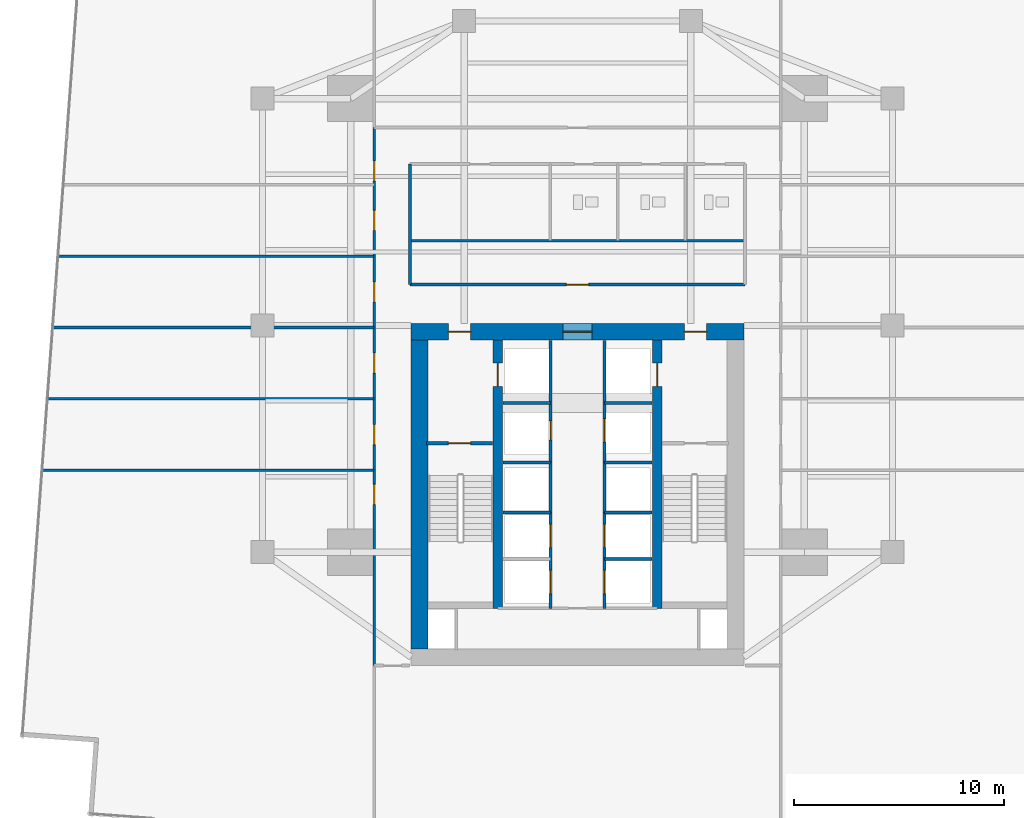
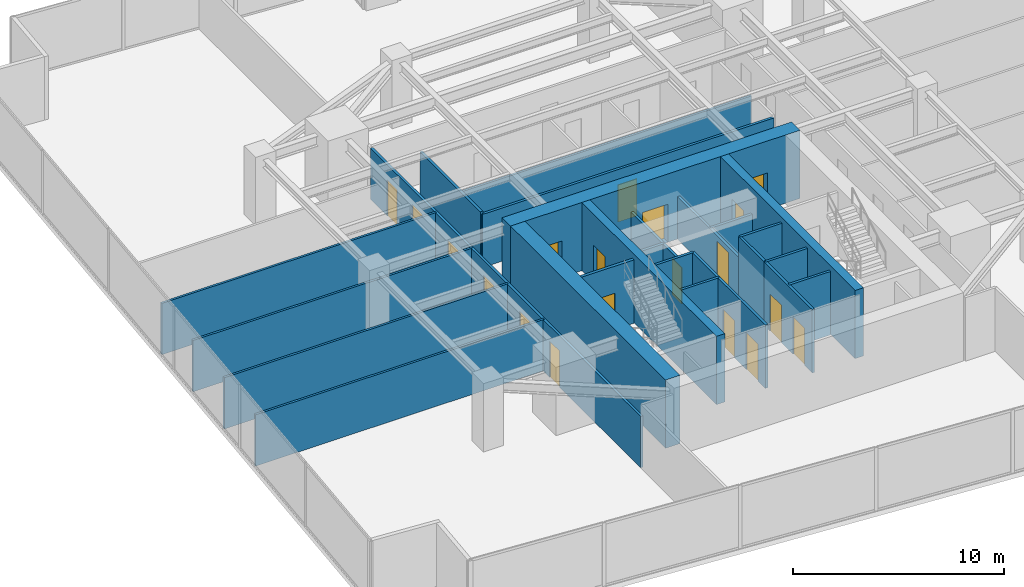
# One storey, part 26 of 30: 26 walls, 19 doors, 19 openings.
"""IFC4 building model written with IfcOpenShell, lengths in metres."""

from ifc_helpers import new_model, si_unit, direction, frame, frame_2d, origin, place, context, subcontext, project, spatial, rectangle, extrude, material, layer, layer_set, type_object, element, fill, save


model = new_model("IFC4")

# Units and contexts
model_context = context("Model", 3, precision=1e-05, world=origin(), true_north=direction((0.0, 1.0)))
body_context = subcontext(model_context, "Body", "Model", "MODEL_VIEW")
ifc_project = project(units=[si_unit("LENGTHUNIT", "METRE"), si_unit("AREAUNIT", "SQUARE_METRE"), si_unit("VOLUMEUNIT", "CUBIC_METRE"), si_unit("PLANEANGLEUNIT", "RADIAN"), si_unit("MASSUNIT", "GRAM", prefix="KILO")], contexts=[model_context])

# Site, building, storey
site_placement = place(None, origin())
site = spatial("IfcSite", under=ifc_project, at=site_placement, CompositionType="ELEMENT")
building_placement = place(site_placement, origin())
building = spatial("IfcBuilding", under=site, at=building_placement, Name="Krantzveldt Concourse Tower", CompositionType="ELEMENT")
storey_placement = place(building_placement, frame((0.0, 0.0, 52.64990234375)))
storey = spatial("IfcBuildingStorey", under=building, at=storey_placement, Name="L12", CompositionType="ELEMENT", Elevation=52.64990234375)

# Walls
ifc_material_1 = material(Name="Fire-rated gypsum plasterboard on steel stud", Category="steel")
ifc_layer_1 = layer(ifc_material_1, 0.1201171875, Name="Fire-rated gypsum plasterboard on steel stud", Category="steel")
ifc_layer_set_1 = layer_set([ifc_layer_1], Name="Fire-rated gypsum plasterboard on steel stud (WL-PART-120)")
wall_type_1 = type_object("IfcWallType", Name="WL-PART-120", PredefinedType="PARTITIONING", material=ifc_layer_set_1)
wall_1_placement = place(storey_placement, frame((28.02001953125, 30.739990234375, 0.0), z_axis=(0.0, 0.0, 1.0), x_axis=(1.0, 0.0, 0.0)))
element("IfcWall", 1, at=wall_1_placement, inside=storey, type_object=wall_type_1, Name="WP-L12-ISLM", PredefinedType="PARTITIONING", context=body_context, shape_type="SweptSolid", body=[
    extrude(rectangle(XDim=15.9599609375, YDim=0.1201171875, at=frame_2d((7.97998046875, 0.0))), origin(), (0.0, 0.0, 1.0), 3.080078125),
])
wall_2_placement = place(storey_placement, frame((10.508544921875, 19.800048828125, 0.0), z_axis=(0.0, 0.0, 1.0), x_axis=(1.0, 0.0, 0.0)))
element("IfcWall", 2, at=wall_2_placement, inside=storey, type_object=wall_type_1, Name="WP-L12-WD1", PredefinedType="PARTITIONING", context=body_context, shape_type="SweptSolid", body=[
    extrude(rectangle(XDim=15.8115234375, YDim=0.1201171875, at=frame_2d((7.90576171875, 0.0))), origin(), (0.0, 0.0, 1.0), 2.97021484375),
])
wall_3_placement = place(storey_placement, frame((10.76123046875, 23.199951171875, 0.0), z_axis=(0.0, 0.0, 1.0), x_axis=(1.0, 0.0, 0.0)))
element("IfcWall", 3, at=wall_3_placement, inside=storey, type_object=wall_type_1, Name="WP-L12-WD2", PredefinedType="PARTITIONING", context=body_context, shape_type="SweptSolid", body=[
    extrude(rectangle(XDim=15.558837890625, YDim=0.1201171875, at=frame_2d((7.779296875, 0.0))), origin(), (0.0, 0.0, 1.0), 2.97021484375),
])
wall_4_placement = place(storey_placement, frame((11.013916015625, 26.60009765625, 0.0), z_axis=(0.0, 0.0, 1.0), x_axis=(1.0, 0.0, 0.0)))
element("IfcWall", 4, at=wall_4_placement, inside=storey, type_object=wall_type_1, Name="WP-L12-WD3", PredefinedType="PARTITIONING", context=body_context, shape_type="SweptSolid", body=[
    extrude(rectangle(XDim=15.30615234375, YDim=0.1201171875, at=frame_2d((7.653076171875, 0.0))), origin(), (0.0, 0.0, 1.0), 2.97021484375),
])
wall_5_placement = place(storey_placement, frame((11.2666015625, 30.0, 0.0), z_axis=(0.0, 0.0, 1.0), x_axis=(1.0, 0.0, 0.0)))
element("IfcWall", 5, at=wall_5_placement, inside=storey, type_object=wall_type_1, Name="WP-L12-WD4", PredefinedType="PARTITIONING", context=body_context, shape_type="SweptSolid", body=[
    extrude(rectangle(XDim=15.053466796875, YDim=0.1201171875, at=frame_2d((7.52685546875, 0.0))), origin(), (0.0, 0.0, 1.0), 2.97021484375),
])

# Wall, opening, door
ifc_layer_2 = layer(ifc_material_1, 0.139892578125, Name="Fire-rated gypsum plasterboard on steel stud", Category="steel")
ifc_layer_set_2 = layer_set([ifc_layer_2], Name="Fire-rated gypsum plasterboard on steel stud (WL-PART-140)")
wall_type_2 = type_object("IfcWallType", Name="WL-PART-140", PredefinedType="PARTITIONING", material=ifc_layer_set_2)
wall_6_placement = place(storey_placement, frame((28.02001953125, 28.639892578125, 0.0), z_axis=(0.0, 0.0, 1.0), x_axis=(1.0, 0.0, 0.0)))
wall_6 = element("IfcWall", 6, at=wall_6_placement, inside=storey, type_object=wall_type_2, Name="WP-L12-ISLS", PredefinedType="PARTITIONING", context=body_context, shape_type="SweptSolid", body=[
    extrude(rectangle(XDim=15.9599609375, YDim=0.139892578125, at=frame_2d((7.97998046875, 0.0))), origin(), (0.0, 0.0, 1.0), 3.080078125),
])
opening_1_placement = place(wall_6_placement, frame((7.455078125, 0.0, 0.0)))
opening_1 = element("IfcOpeningElement", 7, at=opening_1_placement, cuts=wall_6, Name="Opening D-IN105", PredefinedType="OPENING", context=body_context, shape_type="SweptSolid", body=[
    extrude(rectangle(XDim=1.050048828125, YDim=2.14990234375, at=frame_2d((0.52490234375, 1.074951171875))), frame((0.0, 0.080078125, 0.0), z_axis=(0.0, -1.0, 0.0), x_axis=(1.0, 0.0, 0.0)), (0.0, 0.0, 1.0), 0.159912109375),
])
ifc_material_2 = material(Name="Hardwood timber", Category="wood")
door_type_1 = type_object("IfcDoorType", Name="DR-INT-1050", OperationType="SINGLE_SWING_LEFT", PredefinedType="DOOR", material=ifc_material_2)
door_1_placement = place(opening_1_placement, origin())
door_1 = element("IfcDoor", 8, at=door_1_placement, inside=storey, type_object=door_type_1, Name="DR-L12-MIDB", OperationType="SINGLE_SWING_LEFT", OverallHeight=2.14990234375, OverallWidth=1.050048828125, PredefinedType="DOOR", context=body_context, shape_type="SweptSolid", body=[
    extrude(rectangle(XDim=1.050048828125, YDim=2.14990234375, at=frame_2d((0.52490234375, 1.074951171875))), frame((0.0, 0.02490234375, 0.0), z_axis=(0.0, -1.0, 0.0), x_axis=(1.0, 0.0, 0.0)), (0.0, 0.0, 1.0), 0.050048828125),
])
fill(opening_1, door_1)

# Wall
wall_7_placement = place(storey_placement, frame((28.02001953125, 28.639892578125, 0.0), z_axis=(0.0, 0.0, 1.0), x_axis=(0.0, 1.0, 0.0)))
element("IfcWall", 9, at=wall_7_placement, inside=storey, type_object=wall_type_2, Name="WP-L12-ISLW", PredefinedType="PARTITIONING", context=body_context, shape_type="SweptSolid", body=[
    extrude(rectangle(XDim=5.739990234375, YDim=0.139892578125, at=frame_2d((2.8701171875, 0.0))), origin(), (0.0, 0.0, 1.0), 3.22021484375),
])

# Wall, openings, doors
wall_8_placement = place(storey_placement, frame((26.320068359375, 10.5, 0.0), z_axis=(0.0, 0.0, 1.0), x_axis=(0.0, 1.0, 0.0)))
wall_8 = element("IfcWall", 10, at=wall_8_placement, inside=storey, type_object=wall_type_2, Name="WP-L12-CWEST", PredefinedType="PARTITIONING", context=body_context, shape_type="SweptSolid", body=[
    extrude(rectangle(XDim=25.6201171875, YDim=0.139892578125, at=frame_2d((12.81005859375, 0.0))), origin(), (0.0, 0.0, 1.0), 2.97021484375),
])
opening_2_placement = place(wall_8_placement, frame((7.675048828125, 0.0, 0.0)))
opening_2 = element("IfcOpeningElement", 11, at=opening_2_placement, cuts=wall_8, Name="Opening D-IN095", PredefinedType="OPENING", context=body_context, shape_type="SweptSolid", body=[
    extrude(rectangle(XDim=0.949951171875, YDim=2.10009765625, at=frame_2d((0.47509765625, 1.050048828125))), frame((0.0, 0.080078125, 0.0), z_axis=(0.0, -1.0, 0.0), x_axis=(1.0, 0.0, 0.0)), (0.0, 0.0, 1.0), 0.159912109375),
])
opening_3_placement = place(wall_8_placement, frame((10.52490234375, 0.0, 0.0)))
opening_3 = element("IfcOpeningElement", 12, at=opening_3_placement, cuts=wall_8, Name="Opening D-IN095", PredefinedType="OPENING", context=body_context, shape_type="SweptSolid", body=[
    extrude(rectangle(XDim=0.949951171875, YDim=2.10009765625, at=frame_2d((0.47509765625, 1.050048828125))), frame((0.0, 0.080078125, 0.0), z_axis=(0.0, -1.0, 0.0), x_axis=(1.0, 0.0, 0.0)), (0.0, 0.0, 1.0), 0.159912109375),
])
opening_4_placement = place(wall_8_placement, frame((13.925048828125, 0.0, 0.0)))
opening_4 = element("IfcOpeningElement", 13, at=opening_4_placement, cuts=wall_8, Name="Opening D-IN095", PredefinedType="OPENING", context=body_context, shape_type="SweptSolid", body=[
    extrude(rectangle(XDim=0.949951171875, YDim=2.10009765625, at=frame_2d((0.47509765625, 1.050048828125))), frame((0.0, 0.080078125, 0.0), z_axis=(0.0, -1.0, 0.0), x_axis=(1.0, 0.0, 0.0)), (0.0, 0.0, 1.0), 0.159912109375),
])
opening_5_placement = place(wall_8_placement, frame((17.324951171875, 0.0, 0.0)))
opening_5 = element("IfcOpeningElement", 14, at=opening_5_placement, cuts=wall_8, Name="Opening D-IN095", PredefinedType="OPENING", context=body_context, shape_type="SweptSolid", body=[
    extrude(rectangle(XDim=0.949951171875, YDim=2.10009765625, at=frame_2d((0.47509765625, 1.050048828125))), frame((0.0, 0.080078125, 0.0), z_axis=(0.0, -1.0, 0.0), x_axis=(1.0, 0.0, 0.0)), (0.0, 0.0, 1.0), 0.159912109375),
])
opening_6_placement = place(wall_8_placement, frame((20.72509765625, 0.0, 0.0)))
opening_6 = element("IfcOpeningElement", 15, at=opening_6_placement, cuts=wall_8, Name="Opening D-IN095", PredefinedType="OPENING", context=body_context, shape_type="SweptSolid", body=[
    extrude(rectangle(XDim=0.949951171875, YDim=2.10009765625, at=frame_2d((0.47509765625, 1.050048828125))), frame((0.0, 0.080078125, 0.0), z_axis=(0.0, -1.0, 0.0), x_axis=(1.0, 0.0, 0.0)), (0.0, 0.0, 1.0), 0.159912109375),
])
opening_7_placement = place(wall_8_placement, frame((23.074951171875, 0.0, 0.0)))
opening_7 = element("IfcOpeningElement", 16, at=opening_7_placement, cuts=wall_8, Name="Opening D-IN095", PredefinedType="OPENING", context=body_context, shape_type="SweptSolid", body=[
    extrude(rectangle(XDim=0.949951171875, YDim=2.10009765625, at=frame_2d((0.47509765625, 1.050048828125))), frame((0.0, 0.080078125, 0.0), z_axis=(0.0, -1.0, 0.0), x_axis=(1.0, 0.0, 0.0)), (0.0, 0.0, 1.0), 0.159912109375),
])
door_type_2 = type_object("IfcDoorType", Name="DR-INT-950", OperationType="SINGLE_SWING_LEFT", PredefinedType="DOOR", material=ifc_material_2)
door_2_placement = place(opening_2_placement, origin())
door_2 = element("IfcDoor", 17, at=door_2_placement, inside=storey, type_object=door_type_2, Name="DR-L12-WR1", OperationType="SINGLE_SWING_LEFT", OverallHeight=2.10009765625, OverallWidth=0.949951171875, PredefinedType="DOOR", context=body_context, shape_type="SweptSolid", body=[
    extrude(rectangle(XDim=0.949951171875, YDim=2.10009765625, at=frame_2d((0.47509765625, 1.050048828125))), frame((0.0, 0.02490234375, 0.0), z_axis=(0.0, -1.0, 0.0), x_axis=(1.0, 0.0, 0.0)), (0.0, 0.0, 1.0), 0.050048828125),
])
fill(opening_2, door_2)
door_3_placement = place(opening_3_placement, origin())
door_3 = element("IfcDoor", 18, at=door_3_placement, inside=storey, type_object=door_type_2, Name="DR-L12-WR2", OperationType="SINGLE_SWING_LEFT", OverallHeight=2.10009765625, OverallWidth=0.949951171875, PredefinedType="DOOR", context=body_context, shape_type="SweptSolid", body=[
    extrude(rectangle(XDim=0.949951171875, YDim=2.10009765625, at=frame_2d((0.47509765625, 1.050048828125))), frame((0.0, 0.02490234375, 0.0), z_axis=(0.0, -1.0, 0.0), x_axis=(1.0, 0.0, 0.0)), (0.0, 0.0, 1.0), 0.050048828125),
])
fill(opening_3, door_3)
door_4_placement = place(opening_4_placement, origin())
door_4 = element("IfcDoor", 19, at=door_4_placement, inside=storey, type_object=door_type_2, Name="DR-L12-WR3", OperationType="SINGLE_SWING_LEFT", OverallHeight=2.10009765625, OverallWidth=0.949951171875, PredefinedType="DOOR", context=body_context, shape_type="SweptSolid", body=[
    extrude(rectangle(XDim=0.949951171875, YDim=2.10009765625, at=frame_2d((0.47509765625, 1.050048828125))), frame((0.0, 0.02490234375, 0.0), z_axis=(0.0, -1.0, 0.0), x_axis=(1.0, 0.0, 0.0)), (0.0, 0.0, 1.0), 0.050048828125),
])
fill(opening_4, door_4)
door_5_placement = place(opening_5_placement, origin())
door_5 = element("IfcDoor", 20, at=door_5_placement, inside=storey, type_object=door_type_2, Name="DR-L12-WR4", OperationType="SINGLE_SWING_LEFT", OverallHeight=2.10009765625, OverallWidth=0.949951171875, PredefinedType="DOOR", context=body_context, shape_type="SweptSolid", body=[
    extrude(rectangle(XDim=0.949951171875, YDim=2.10009765625, at=frame_2d((0.47509765625, 1.050048828125))), frame((0.0, 0.02490234375, 0.0), z_axis=(0.0, -1.0, 0.0), x_axis=(1.0, 0.0, 0.0)), (0.0, 0.0, 1.0), 0.050048828125),
])
fill(opening_5, door_5)
door_6_placement = place(opening_6_placement, origin())
door_6 = element("IfcDoor", 21, at=door_6_placement, inside=storey, type_object=door_type_2, Name="DR-L12-WR5", OperationType="SINGLE_SWING_LEFT", OverallHeight=2.10009765625, OverallWidth=0.949951171875, PredefinedType="DOOR", context=body_context, shape_type="SweptSolid", body=[
    extrude(rectangle(XDim=0.949951171875, YDim=2.10009765625, at=frame_2d((0.47509765625, 1.050048828125))), frame((0.0, 0.02490234375, 0.0), z_axis=(0.0, -1.0, 0.0), x_axis=(1.0, 0.0, 0.0)), (0.0, 0.0, 1.0), 0.050048828125),
])
fill(opening_6, door_6)
door_7_placement = place(opening_7_placement, origin())
door_7 = element("IfcDoor", 22, at=door_7_placement, inside=storey, type_object=door_type_2, Name="DR-L12-WR6", OperationType="SINGLE_SWING_LEFT", OverallHeight=2.10009765625, OverallWidth=0.949951171875, PredefinedType="DOOR", context=body_context, shape_type="SweptSolid", body=[
    extrude(rectangle(XDim=0.949951171875, YDim=2.10009765625, at=frame_2d((0.47509765625, 1.050048828125))), frame((0.0, 0.02490234375, 0.0), z_axis=(0.0, -1.0, 0.0), x_axis=(1.0, 0.0, 0.0)), (0.0, 0.0, 1.0), 0.050048828125),
])
fill(opening_7, door_7)

# Wall, opening, door
ifc_layer_3 = layer(ifc_material_1, 0.139892578125, Name="Fire-rated gypsum plasterboard on steel stud", Category="steel")
ifc_layer_set_3 = layer_set([ifc_layer_3], Name="Fire-rated gypsum plasterboard on steel stud (WL-PART-FR140)")
wall_type_3 = type_object("IfcWallType", Name="WL-PART-FR140", PredefinedType="PARTITIONING", material=ifc_layer_set_3)
wall_9_placement = place(storey_placement, frame((34.719970703125, 20.199951171875, 0.0), z_axis=(0.0, 0.0, 1.0), x_axis=(0.0, 1.0, 0.0)))
wall_9 = element("IfcWall", 23, at=wall_9_placement, inside=storey, type_object=wall_type_3, Name="WP-L12-SHNW", PredefinedType="PARTITIONING", context=body_context, shape_type="SweptSolid", body=[
    extrude(rectangle(XDim=5.780029296875, YDim=0.139892578125, at=frame_2d((2.89013671875, 0.0))), origin(), (0.0, 0.0, 1.0), 2.47021484375),
])
opening_8_placement = place(wall_9_placement, frame((1.050048828125, 0.0, 0.0)))
opening_8 = element("IfcOpeningElement", 24, at=opening_8_placement, cuts=wall_9, Name="Opening D-FD090", PredefinedType="OPENING", context=body_context, shape_type="SweptSolid", body=[
    extrude(rectangle(XDim=0.89990234375, YDim=2.10009765625, at=frame_2d((0.449951171875, 1.050048828125))), frame((0.0, 0.080078125, 0.0), z_axis=(0.0, -1.0, 0.0), x_axis=(1.0, 0.0, 0.0)), (0.0, 0.0, 1.0), 0.159912109375),
])
door_type_3 = type_object("IfcDoorType", Name="DR-FD60-900", OperationType="SINGLE_SWING_LEFT", PredefinedType="DOOR", material=ifc_material_2)
door_8_placement = place(opening_8_placement, origin())
door_8 = element("IfcDoor", 25, at=door_8_placement, inside=storey, type_object=door_type_3, Name="Electrical Riser Access Door L12", OperationType="SINGLE_SWING_LEFT", OverallHeight=2.10009765625, OverallWidth=0.89990234375, PredefinedType="DOOR", context=body_context, shape_type="SweptSolid", body=[
    extrude(rectangle(XDim=0.89990234375, YDim=2.10009765625, at=frame_2d((0.449951171875, 1.050048828125))), frame((0.0, 0.02490234375, 0.0), z_axis=(0.0, -1.0, 0.0), x_axis=(1.0, 0.0, 0.0)), (0.0, 0.0, 1.0), 0.050048828125),
])
fill(opening_8, door_8)

wall_10_placement = place(storey_placement, frame((37.280029296875, 20.199951171875, 0.0), z_axis=(0.0, 0.0, 1.0), x_axis=(0.0, 1.0, 0.0)))
wall_10 = element("IfcWall", 26, at=wall_10_placement, inside=storey, type_object=wall_type_3, Name="WP-L12-SHNE", PredefinedType="PARTITIONING", context=body_context, shape_type="SweptSolid", body=[
    extrude(rectangle(XDim=5.780029296875, YDim=0.139892578125, at=frame_2d((2.89013671875, 0.0))), origin(), (0.0, 0.0, 1.0), 2.47021484375),
])
opening_9_placement = place(wall_10_placement, frame((0.949951171875, 0.0, 0.0)))
opening_9 = element("IfcOpeningElement", 27, at=opening_9_placement, cuts=wall_10, Name="Opening LD", PredefinedType="OPENING", context=body_context, shape_type="SweptSolid", body=[
    extrude(rectangle(XDim=1.10009765625, YDim=2.14990234375, at=frame_2d((0.550048828125, 1.074951171875))), frame((0.0, 0.080078125, 0.0), z_axis=(0.0, -1.0, 0.0), x_axis=(1.0, 0.0, 0.0)), (0.0, 0.0, 1.0), 0.159912109375),
])
ifc_material_3 = material(Name="Stainless steel 316L", Category="steel")
door_type_4 = type_object("IfcDoorType", Name="DR-SLIDE-LD1100", OperationType="DOUBLE_DOOR_SLIDING", PredefinedType="DOOR", material=ifc_material_3)
door_9_placement = place(opening_9_placement, origin())
door_9 = element("IfcDoor", 28, at=door_9_placement, inside=storey, type_object=door_type_4, Name="LD-L12-GL1", OperationType="DOUBLE_DOOR_SLIDING", OverallHeight=2.14990234375, OverallWidth=1.10009765625, PredefinedType="DOOR", context=body_context, shape_type="SweptSolid", body=[
    extrude(rectangle(XDim=1.10009765625, YDim=2.14990234375, at=frame_2d((0.550048828125, 1.074951171875))), frame((0.0, 0.02490234375, 0.0), z_axis=(0.0, -1.0, 0.0), x_axis=(1.0, 0.0, 0.0)), (0.0, 0.0, 1.0), 0.050048828125),
])
fill(opening_9, door_9)

# Walls
for number, where, z_axis, x_axis, name in (
    (29, (32.449951171875, 23.0, 0.0), (0.0, 0.0, 1.0), (1.0, 0.0, 0.0), "WP-L12-RISH"),
    (30, (37.280029296875, 23.0, 0.0), (0.0, 0.0, 1.0), (1.0, 0.0, 0.0), "WP-L12-GLH"),
):
    element("IfcWall", number, at=place(storey_placement, frame(where, z_axis=z_axis, x_axis=x_axis)), inside=storey, type_object=wall_type_3, Name=name, PredefinedType="PARTITIONING", context=body_context, shape_type="SweptSolid", body=[
        extrude(rectangle(XDim=2.27001953125, YDim=0.139892578125, at=frame_2d((1.135009765625, 0.0))), origin(), (0.0, 0.0, 1.0), 2.47021484375),
    ])
for number, where, z_axis, x_axis, name in (
    (31, (34.719970703125, 17.780029296875, 0.0), (0.0, 0.0, 1.0), (0.0, 1.0, 0.0), "WP-L12-SHNW2"),
    (32, (37.280029296875, 17.780029296875, 0.0), (0.0, 0.0, 1.0), (0.0, 1.0, 0.0), "WP-L12-SHNE2"),
):
    element("IfcWall", number, at=place(storey_placement, frame(where, z_axis=z_axis, x_axis=x_axis)), inside=storey, type_object=wall_type_3, Name=name, PredefinedType="PARTITIONING", context=body_context, shape_type="SweptSolid", body=[
        extrude(rectangle(XDim=2.419921875, YDim=0.139892578125, at=frame_2d((1.2099609375, 0.0))), origin(), (0.0, 0.0, 1.0), 3.670166015625),
    ])
for number, where, z_axis, x_axis, name in (
    (33, (32.449951171875, 17.780029296875, 0.0), (0.0, 0.0, 1.0), (1.0, 0.0, 0.0), "WP-L12-DIVW2"),
    (34, (32.449951171875, 20.179931640625, 0.0), (0.0, 0.0, 1.0), (1.0, 0.0, 0.0), "WP-L12-DIVW3"),
    (35, (37.280029296875, 17.780029296875, 0.0), (0.0, 0.0, 1.0), (1.0, 0.0, 0.0), "WP-L12-DIVE2"),
    (36, (37.280029296875, 20.179931640625, 0.0), (0.0, 0.0, 1.0), (1.0, 0.0, 0.0), "WP-L12-DIVE3"),
):
    element("IfcWall", number, at=place(storey_placement, frame(where, z_axis=z_axis, x_axis=x_axis)), inside=storey, type_object=wall_type_3, Name=name, PredefinedType="PARTITIONING", context=body_context, shape_type="SweptSolid", body=[
        extrude(rectangle(XDim=2.27001953125, YDim=0.139892578125, at=frame_2d((1.135009765625, 0.0))), origin(), (0.0, 0.0, 1.0), 3.670166015625),
    ])

# Wall, openings, doors
wall_11_placement = place(storey_placement, frame((34.719970703125, 13.219970703125, 0.0), z_axis=(0.0, 0.0, 1.0), x_axis=(0.0, 1.0, 0.0)))
wall_11 = element("IfcWall", 37, at=wall_11_placement, inside=storey, type_object=wall_type_3, Name="WP-L12-SHSW", PredefinedType="PARTITIONING", context=body_context, shape_type="SweptSolid", body=[
    extrude(rectangle(XDim=4.56005859375, YDim=0.139892578125, at=frame_2d((2.280029296875, 0.0))), origin(), (0.0, 0.0, 1.0), 3.670166015625),
])
opening_10_placement = place(wall_11_placement, frame((0.7099609375, 0.0, 0.0)))
opening_10 = element("IfcOpeningElement", 38, at=opening_10_placement, cuts=wall_11, Name="Opening LD", PredefinedType="OPENING", context=body_context, shape_type="SweptSolid", body=[
    extrude(rectangle(XDim=1.10009765625, YDim=2.14990234375, at=frame_2d((0.550048828125, 1.074951171875))), frame((0.0, 0.080078125, 0.0), z_axis=(0.0, -1.0, 0.0), x_axis=(1.0, 0.0, 0.0)), (0.0, 0.0, 1.0), 0.159912109375),
])
opening_11_placement = place(wall_11_placement, frame((2.909912109375, 0.0, 0.0)))
opening_11 = element("IfcOpeningElement", 39, at=opening_11_placement, cuts=wall_11, Name="Opening LD", PredefinedType="OPENING", context=body_context, shape_type="SweptSolid", body=[
    extrude(rectangle(XDim=1.10009765625, YDim=2.14990234375, at=frame_2d((0.550048828125, 1.074951171875))), frame((0.0, 0.080078125, 0.0), z_axis=(0.0, -1.0, 0.0), x_axis=(1.0, 0.0, 0.0)), (0.0, 0.0, 1.0), 0.159912109375),
])
door_10_placement = place(opening_10_placement, origin())
door_10 = element("IfcDoor", 40, at=door_10_placement, inside=storey, type_object=door_type_4, Name="LD-L12-PL1", OperationType="DOUBLE_DOOR_SLIDING", OverallHeight=2.14990234375, OverallWidth=1.10009765625, PredefinedType="DOOR", context=body_context, shape_type="SweptSolid", body=[
    extrude(rectangle(XDim=1.10009765625, YDim=2.14990234375, at=frame_2d((0.550048828125, 1.074951171875))), frame((0.0, 0.02490234375, 0.0), z_axis=(0.0, -1.0, 0.0), x_axis=(1.0, 0.0, 0.0)), (0.0, 0.0, 1.0), 0.050048828125),
])
fill(opening_10, door_10)
door_11_placement = place(opening_11_placement, origin())
door_11 = element("IfcDoor", 41, at=door_11_placement, inside=storey, type_object=door_type_4, Name="LD-L12-PL2", OperationType="DOUBLE_DOOR_SLIDING", OverallHeight=2.14990234375, OverallWidth=1.10009765625, PredefinedType="DOOR", context=body_context, shape_type="SweptSolid", body=[
    extrude(rectangle(XDim=1.10009765625, YDim=2.14990234375, at=frame_2d((0.550048828125, 1.074951171875))), frame((0.0, 0.02490234375, 0.0), z_axis=(0.0, -1.0, 0.0), x_axis=(1.0, 0.0, 0.0)), (0.0, 0.0, 1.0), 0.050048828125),
])
fill(opening_11, door_11)

wall_12_placement = place(storey_placement, frame((37.280029296875, 13.219970703125, 0.0), z_axis=(0.0, 0.0, 1.0), x_axis=(0.0, 1.0, 0.0)))
wall_12 = element("IfcWall", 42, at=wall_12_placement, inside=storey, type_object=wall_type_3, Name="WP-L12-SHSE", PredefinedType="PARTITIONING", context=body_context, shape_type="SweptSolid", body=[
    extrude(rectangle(XDim=4.56005859375, YDim=0.139892578125, at=frame_2d((2.280029296875, 0.0))), origin(), (0.0, 0.0, 1.0), 3.670166015625),
])
opening_12_placement = place(wall_12_placement, frame((0.7099609375, 0.0, 0.0)))
opening_12 = element("IfcOpeningElement", 43, at=opening_12_placement, cuts=wall_12, Name="Opening LD", PredefinedType="OPENING", context=body_context, shape_type="SweptSolid", body=[
    extrude(rectangle(XDim=1.10009765625, YDim=2.14990234375, at=frame_2d((0.550048828125, 1.074951171875))), frame((0.0, 0.080078125, 0.0), z_axis=(0.0, -1.0, 0.0), x_axis=(1.0, 0.0, 0.0)), (0.0, 0.0, 1.0), 0.159912109375),
])
opening_13_placement = place(wall_12_placement, frame((2.909912109375, 0.0, 0.0)))
opening_13 = element("IfcOpeningElement", 44, at=opening_13_placement, cuts=wall_12, Name="Opening LD", PredefinedType="OPENING", context=body_context, shape_type="SweptSolid", body=[
    extrude(rectangle(XDim=1.10009765625, YDim=2.14990234375, at=frame_2d((0.550048828125, 1.074951171875))), frame((0.0, 0.080078125, 0.0), z_axis=(0.0, -1.0, 0.0), x_axis=(1.0, 0.0, 0.0)), (0.0, 0.0, 1.0), 0.159912109375),
])
door_12_placement = place(opening_12_placement, origin())
door_12 = element("IfcDoor", 45, at=door_12_placement, inside=storey, type_object=door_type_4, Name="LD-L12-PM1", OperationType="DOUBLE_DOOR_SLIDING", OverallHeight=2.14990234375, OverallWidth=1.10009765625, PredefinedType="DOOR", context=body_context, shape_type="SweptSolid", body=[
    extrude(rectangle(XDim=1.10009765625, YDim=2.14990234375, at=frame_2d((0.550048828125, 1.074951171875))), frame((0.0, 0.02490234375, 0.0), z_axis=(0.0, -1.0, 0.0), x_axis=(1.0, 0.0, 0.0)), (0.0, 0.0, 1.0), 0.050048828125),
])
fill(opening_12, door_12)
door_13_placement = place(opening_13_placement, origin())
door_13 = element("IfcDoor", 46, at=door_13_placement, inside=storey, type_object=door_type_4, Name="LD-L12-PM2", OperationType="DOUBLE_DOOR_SLIDING", OverallHeight=2.14990234375, OverallWidth=1.10009765625, PredefinedType="DOOR", context=body_context, shape_type="SweptSolid", body=[
    extrude(rectangle(XDim=1.10009765625, YDim=2.14990234375, at=frame_2d((0.550048828125, 1.074951171875))), frame((0.0, 0.02490234375, 0.0), z_axis=(0.0, -1.0, 0.0), x_axis=(1.0, 0.0, 0.0)), (0.0, 0.0, 1.0), 0.050048828125),
])
fill(opening_13, door_13)

# Wall
wall_13_placement = place(storey_placement, frame((37.280029296875, 15.580078125, 0.0), z_axis=(0.0, 0.0, 1.0), x_axis=(1.0, 0.0, 0.0)))
element("IfcWall", 47, at=wall_13_placement, inside=storey, type_object=wall_type_3, Name="WP-L12-DIVE1", PredefinedType="PARTITIONING", context=body_context, shape_type="SweptSolid", body=[
    extrude(rectangle(XDim=2.27001953125, YDim=0.139892578125, at=frame_2d((1.135009765625, 0.0))), origin(), (0.0, 0.0, 1.0), 3.670166015625),
])

# Wall, opening, door
ifc_layer_4 = layer(ifc_material_1, 0.159912109375, Name="Fire-rated gypsum plasterboard on steel stud", Category="steel")
ifc_layer_set_4 = layer_set([ifc_layer_4], Name="Fire-rated gypsum plasterboard on steel stud (WL-PART-FR160)")
wall_type_4 = type_object("IfcWallType", Name="WL-PART-FR160", PredefinedType="PARTITIONING", material=ifc_layer_set_4)
wall_14_placement = place(storey_placement, frame((28.800048828125, 21.080078125, 0.0), z_axis=(0.0, 0.0, 1.0), x_axis=(1.0, 0.0, 0.0)))
wall_14 = element("IfcWall", 48, at=wall_14_placement, inside=storey, type_object=wall_type_4, Name="WP-L12-ST1", PredefinedType="PARTITIONING", context=body_context, shape_type="SweptSolid", body=[
    extrude(rectangle(XDim=3.159912109375, YDim=0.159912109375, at=frame_2d((1.580078125, 0.0))), origin(), (0.0, 0.0, 1.0), 3.670166015625),
])
opening_14_placement = place(wall_14_placement, frame((1.054931640625, 0.0, 0.0)))
opening_14 = element("IfcOpeningElement", 49, at=opening_14_placement, cuts=wall_14, Name="Opening D-FD105", PredefinedType="OPENING", context=body_context, shape_type="SweptSolid", body=[
    extrude(rectangle(XDim=1.050048828125, YDim=2.10009765625, at=frame_2d((0.52490234375, 1.050048828125))), frame((0.0, 0.08984375, 0.0), z_axis=(0.0, -1.0, 0.0), x_axis=(1.0, 0.0, 0.0)), (0.0, 0.0, 1.0), 0.179931640625),
])
ifc_material_4 = material(Name="Galvanised steel", Category="steel")
door_type_5 = type_object("IfcDoorType", Name="DR-FD120-1050", OperationType="SINGLE_SWING_LEFT", PredefinedType="DOOR", material=ifc_material_4)
door_14_placement = place(opening_14_placement, origin())
door_14 = element("IfcDoor", 50, at=door_14_placement, inside=storey, type_object=door_type_5, Name="DR-L12-ST1", OperationType="SINGLE_SWING_RIGHT", OverallHeight=2.10009765625, OverallWidth=1.050048828125, PredefinedType="DOOR", context=body_context, shape_type="SweptSolid", body=[
    extrude(rectangle(XDim=1.050048828125, YDim=2.10009765625, at=frame_2d((0.52490234375, 1.050048828125))), frame((0.0, 0.02490234375, 0.0), z_axis=(0.0, -1.0, 0.0), x_axis=(1.0, 0.0, 0.0)), (0.0, 0.0, 1.0), 0.050048828125),
])
fill(opening_14, door_14)

ifc_material_5 = material(Name="Concrete C50/60", Category="concrete")
ifc_layer_5 = layer(ifc_material_5, 0.449951171875, Name="Concrete C50/60", Category="concrete")
ifc_layer_set_5 = layer_set([ifc_layer_5], Name="Concrete C50/60 (WL-SHEAR-450)")
wall_type_5 = type_object("IfcWallType", Name="WL-SHEAR-450", PredefinedType="SHEAR", material=ifc_layer_set_5)
wall_15_placement = place(storey_placement, frame((32.205078125, 13.219970703125, 0.0), z_axis=(0.0, 0.0, 1.0), x_axis=(0.0, 1.0, 0.0)))
wall_15 = element("IfcWall", 51, at=wall_15_placement, inside=storey, type_object=wall_type_5, Name="CW-L12-IW", PredefinedType="SHEAR", context=body_context, shape_type="SweptSolid", body=[
    extrude(rectangle(XDim=12.780029296875, YDim=0.449951171875, at=frame_2d((6.39013671875, 0.0))), origin(), (0.0, 0.0, 1.0), 3.9501953125),
])
opening_15_placement = place(wall_15_placement, frame((10.580078125, 0.0, 0.0)))
opening_15 = element("IfcOpeningElement", 52, at=opening_15_placement, cuts=wall_15, Name="Opening LD", PredefinedType="OPENING", context=body_context, shape_type="SweptSolid", body=[
    extrude(rectangle(XDim=1.10009765625, YDim=2.14990234375, at=frame_2d((0.550048828125, 1.074951171875))), frame((0.0, 0.23486328125, 0.0), z_axis=(0.0, -1.0, 0.0), x_axis=(1.0, 0.0, 0.0)), (0.0, 0.0, 1.0), 0.469970703125),
])
door_15_placement = place(opening_15_placement, origin())
door_15 = element("IfcDoor", 53, at=door_15_placement, inside=storey, type_object=door_type_4, Name="LD-L12-FL1", OperationType="DOUBLE_DOOR_SLIDING", OverallHeight=2.14990234375, OverallWidth=1.10009765625, PredefinedType="DOOR", context=body_context, shape_type="SweptSolid", body=[
    extrude(rectangle(XDim=1.10009765625, YDim=2.14990234375, at=frame_2d((0.550048828125, 1.074951171875))), frame((0.0, 0.02490234375, 0.0), z_axis=(0.0, -1.0, 0.0), x_axis=(1.0, 0.0, 0.0)), (0.0, 0.0, 1.0), 0.050048828125),
])
fill(opening_15, door_15)

wall_16_placement = place(storey_placement, frame((39.794921875, 13.219970703125, 0.0), z_axis=(0.0, 0.0, 1.0), x_axis=(0.0, 1.0, 0.0)))
wall_16 = element("IfcWall", 54, at=wall_16_placement, inside=storey, type_object=wall_type_5, Name="CW-L12-IE", PredefinedType="SHEAR", context=body_context, shape_type="SweptSolid", body=[
    extrude(rectangle(XDim=12.780029296875, YDim=0.449951171875, at=frame_2d((6.39013671875, 0.0))), origin(), (0.0, 0.0, 1.0), 3.9501953125),
])
opening_16_placement = place(wall_16_placement, frame((10.580078125, 0.0, 0.0)))
opening_16 = element("IfcOpeningElement", 55, at=opening_16_placement, cuts=wall_16, Name="Opening LD", PredefinedType="OPENING", context=body_context, shape_type="SweptSolid", body=[
    extrude(rectangle(XDim=1.10009765625, YDim=2.14990234375, at=frame_2d((0.550048828125, 1.074951171875))), frame((0.0, 0.23486328125, 0.0), z_axis=(0.0, -1.0, 0.0), x_axis=(1.0, 0.0, 0.0)), (0.0, 0.0, 1.0), 0.469970703125),
])
door_16_placement = place(opening_16_placement, origin())
door_16 = element("IfcDoor", 56, at=door_16_placement, inside=storey, type_object=door_type_4, Name="LD-L12-FL2", OperationType="DOUBLE_DOOR_SLIDING", OverallHeight=2.14990234375, OverallWidth=1.10009765625, PredefinedType="DOOR", context=body_context, shape_type="SweptSolid", body=[
    extrude(rectangle(XDim=1.10009765625, YDim=2.14990234375, at=frame_2d((0.550048828125, 1.074951171875))), frame((0.0, 0.02490234375, 0.0), z_axis=(0.0, -1.0, 0.0), x_axis=(1.0, 0.0, 0.0)), (0.0, 0.0, 1.0), 0.050048828125),
])
fill(opening_16, door_16)

# Wall, openings, doors
ifc_material_6 = material(Name="Concrete C60/75", Category="concrete")
ifc_layer_6 = layer(ifc_material_6, 0.800048828125, Name="Concrete C60/75", Category="concrete")
ifc_layer_set_6 = layer_set([ifc_layer_6], Name="Concrete C60/75 (WL-SHEAR-800)")
wall_type_6 = type_object("IfcWallType", Name="WL-SHEAR-800", PredefinedType="SHEAR", material=ifc_layer_set_6)
wall_17_placement = place(storey_placement, frame((28.080078125, 26.39990234375, 0.0), z_axis=(0.0, 0.0, 1.0), x_axis=(1.0, 0.0, 0.0)))
wall_17 = element("IfcWall", 57, at=wall_17_placement, inside=storey, type_object=wall_type_6, Name="CW-L12-N", PredefinedType="SHEAR", context=body_context, shape_type="SweptSolid", body=[
    extrude(rectangle(XDim=15.83984375, YDim=0.800048828125, at=frame_2d((7.919921875, 0.0))), origin(), (0.0, 0.0, 1.0), 3.9501953125),
])
opening_17_placement = place(wall_17_placement, frame((7.219970703125, 0.0, 0.0)))
opening_17 = element("IfcOpeningElement", 58, at=opening_17_placement, cuts=wall_17, Name="Opening D-DB140", PredefinedType="OPENING", context=body_context, shape_type="SweptSolid", body=[
    extrude(rectangle(XDim=1.39990234375, YDim=2.199951171875, at=frame_2d((0.699951171875, 1.10009765625))), frame((0.0, 0.41015625, 0.0), z_axis=(0.0, -1.0, 0.0), x_axis=(1.0, 0.0, 0.0)), (0.0, 0.0, 1.0), 0.820068359375),
])
opening_18_placement = place(wall_17_placement, frame((1.77490234375, 0.0, 0.0)))
opening_18 = element("IfcOpeningElement", 59, at=opening_18_placement, cuts=wall_17, Name="Opening D-FD105", PredefinedType="OPENING", context=body_context, shape_type="SweptSolid", body=[
    extrude(rectangle(XDim=1.050048828125, YDim=2.10009765625, at=frame_2d((0.52490234375, 1.050048828125))), frame((0.0, 0.41015625, 0.0), z_axis=(0.0, -1.0, 0.0), x_axis=(1.0, 0.0, 0.0)), (0.0, 0.0, 1.0), 0.820068359375),
])
opening_19_placement = place(wall_17_placement, frame((13.014892578125, 0.0, 0.0)))
opening_19 = element("IfcOpeningElement", 60, at=opening_19_placement, cuts=wall_17, Name="Opening D-FD105", PredefinedType="OPENING", context=body_context, shape_type="SweptSolid", body=[
    extrude(rectangle(XDim=1.050048828125, YDim=2.10009765625, at=frame_2d((0.52490234375, 1.050048828125))), frame((0.0, 0.41015625, 0.0), z_axis=(0.0, -1.0, 0.0), x_axis=(1.0, 0.0, 0.0)), (0.0, 0.0, 1.0), 0.820068359375),
])
ifc_material_7 = material(Name="Anodised aluminium 6063-T6", Category="aluminium")
door_type_6 = type_object("IfcDoorType", Name="DR-DBL-1400", OperationType="DOUBLE_DOOR_SINGLE_SWING", PredefinedType="DOOR", material=ifc_material_7)
door_17_placement = place(opening_17_placement, origin())
door_17 = element("IfcDoor", 61, at=door_17_placement, inside=storey, type_object=door_type_6, Name="DR-L12-LLB", OperationType="DOUBLE_DOOR_SINGLE_SWING", OverallHeight=2.199951171875, OverallWidth=1.39990234375, PredefinedType="DOOR", context=body_context, shape_type="SweptSolid", body=[
    extrude(rectangle(XDim=1.39990234375, YDim=2.199951171875, at=frame_2d((0.699951171875, 1.10009765625))), frame((0.0, 0.02490234375, 0.0), z_axis=(0.0, -1.0, 0.0), x_axis=(1.0, 0.0, 0.0)), (0.0, 0.0, 1.0), 0.050048828125),
])
fill(opening_17, door_17)
door_18_placement = place(opening_18_placement, origin())
door_18 = element("IfcDoor", 62, at=door_18_placement, inside=storey, type_object=door_type_5, Name="DR-L12-FFL1", OperationType="SINGLE_SWING_LEFT", OverallHeight=2.10009765625, OverallWidth=1.050048828125, PredefinedType="DOOR", context=body_context, shape_type="SweptSolid", body=[
    extrude(rectangle(XDim=1.050048828125, YDim=2.10009765625, at=frame_2d((0.52490234375, 1.050048828125))), frame((0.0, 0.02490234375, 0.0), z_axis=(0.0, -1.0, 0.0), x_axis=(1.0, 0.0, 0.0)), (0.0, 0.0, 1.0), 0.050048828125),
])
fill(opening_18, door_18)
door_19_placement = place(opening_19_placement, origin())
door_19 = element("IfcDoor", 63, at=door_19_placement, inside=storey, type_object=door_type_5, Name="DR-L12-FFL2", OperationType="SINGLE_SWING_RIGHT", OverallHeight=2.10009765625, OverallWidth=1.050048828125, PredefinedType="DOOR", context=body_context, shape_type="SweptSolid", body=[
    extrude(rectangle(XDim=1.050048828125, YDim=2.10009765625, at=frame_2d((0.52490234375, 1.050048828125))), frame((0.0, 0.02490234375, 0.0), z_axis=(0.0, -1.0, 0.0), x_axis=(1.0, 0.0, 0.0)), (0.0, 0.0, 1.0), 0.050048828125),
])
fill(opening_19, door_19)

# Wall
wall_18_placement = place(storey_placement, frame((28.47998046875, 11.300048828125, 0.0), z_axis=(0.0, 0.0, 1.0), x_axis=(0.0, 1.0, 0.0)))
element("IfcWall", 64, at=wall_18_placement, inside=storey, type_object=wall_type_6, Name="CW-L12-W", PredefinedType="SHEAR", context=body_context, shape_type="SweptSolid", body=[
    extrude(rectangle(XDim=14.699951171875, YDim=0.800048828125, at=frame_2d((7.35009765625, 0.0))), origin(), (0.0, 0.0, 1.0), 3.9501953125),
])

save(model, "model.ifc")
